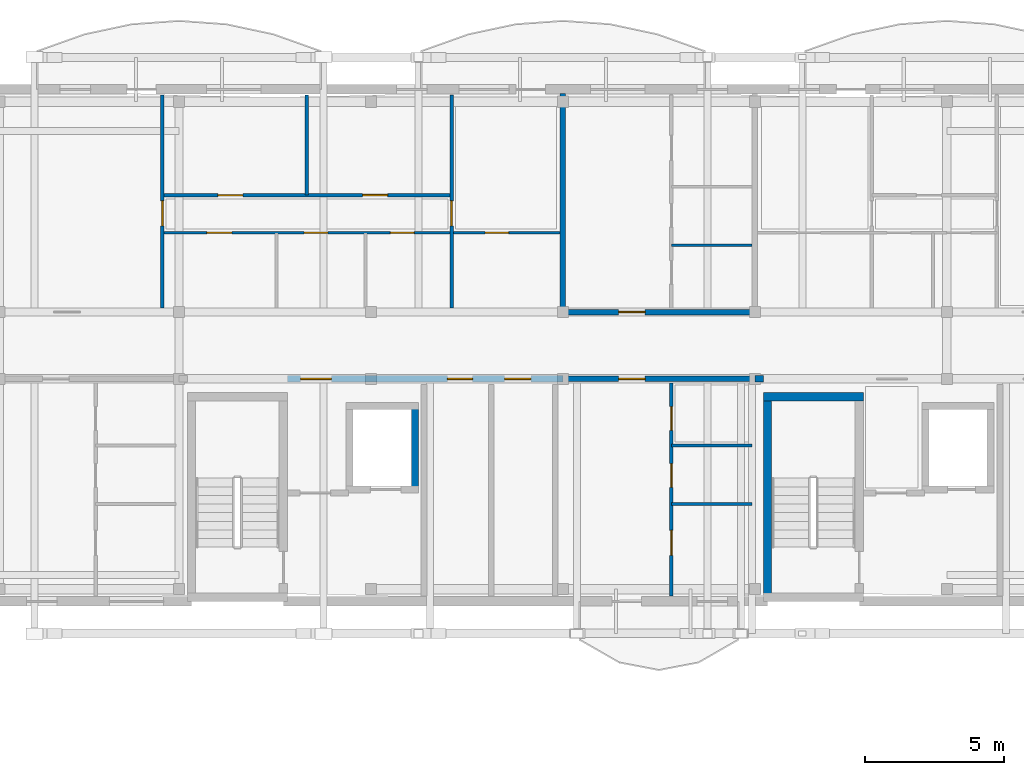
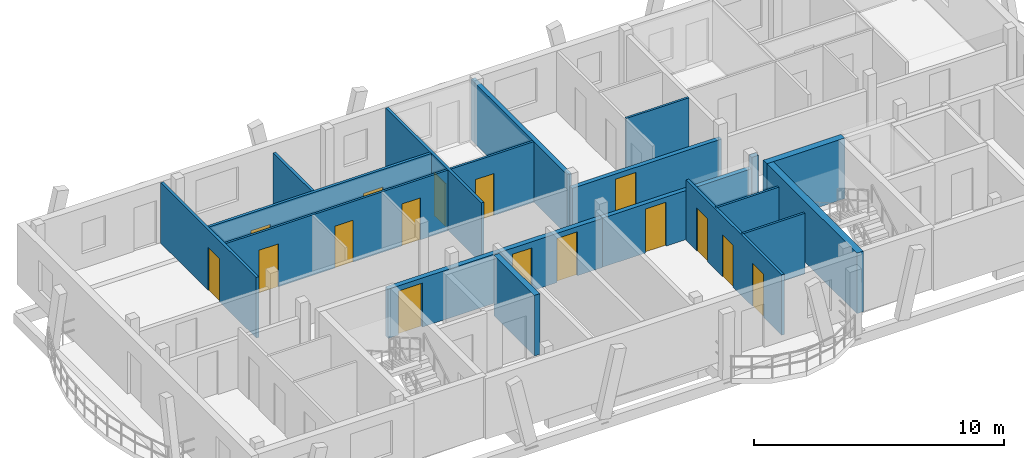
# One storey, part 18 of 33: 17 walls, 16 doors, 16 openings.
"""IFC4 building model written with IfcOpenShell, lengths in metres."""

import ifcopenshell
import ifcopenshell.guid

model = None  # the IFC model being written
_history = None  # IfcOwnerHistory: only IFC2X3 demands one
_inside = {}  # id of a spatial element -> (the spatial element, [elements in it])
_under = {}  # id of a project, library or spatial element -> (it, [spatial elements below it])
_declared = {}  # id of a project -> (the project, [libraries it declares])
_typed = {}  # id of a type object -> (the type object, [elements of that type])
_made_of = {}  # id of a material, layer set ... -> (it, [elements and type objects made of it])


def new_model(schema):
    """Start an empty IFC model of exactly this schema.

    Asked for "IFC4X3", IfcOpenShell would pick the latest addendum, in which some entities
    have other attributes; the version numbers below select the first issue.
    IFC2X3 requires an IfcOwnerHistory on every rooted entity: one is made here for all.
    """
    global model, _history
    if schema == "IFC4X3":
        model = ifcopenshell.file(schema_version=(4, 3, 0, 0))
    else:
        model = ifcopenshell.file(schema=schema)
    _inside.clear()
    _under.clear()
    _declared.clear()
    _typed.clear()
    _made_of.clear()
    _history = None
    if model.schema == "IFC2X3":
        org = make("IfcOrganization", Name="unknown")
        user = make(
            "IfcPersonAndOrganization",
            ThePerson=make("IfcPerson", FamilyName="unknown"),
            TheOrganization=org,
        )
        app = make(
            "IfcApplication",
            ApplicationDeveloper=org,
            Version="unknown",
            ApplicationFullName="unknown",
            ApplicationIdentifier="unknown",
        )
        _history = make(
            "IfcOwnerHistory",
            OwningUser=user,
            OwningApplication=app,
            ChangeAction="ADDED",
            CreationDate=0,
        )
    return model


def make(cls, **values):
    """One entity of the class cls with the attributes given. An attribute that is None is left unset."""
    return model.create_entity(
        cls, **{name: value for name, value in values.items() if value is not None}
    )


def rooted(cls, **values):
    """An entity with a GlobalId (a new one), such as an element, a storey or a relation."""
    return make(cls, GlobalId=ifcopenshell.guid.new(), OwnerHistory=_history, **values)


def si_unit(unit_type, name, prefix=None):
    """IfcSIUnit, for example si_unit("LENGTHUNIT", "METRE", prefix="MILLI")."""
    return make("IfcSIUnit", UnitType=unit_type, Prefix=prefix, Name=name)


def assignment(units):
    """IfcUnitAssignment: the units of a project."""
    return None if units is None else make("IfcUnitAssignment", Units=units)


def point(xyz):
    """IfcCartesianPoint."""
    return None if xyz is None else make("IfcCartesianPoint", Coordinates=xyz)


def direction(xyz):
    """IfcDirection."""
    return None if xyz is None else make("IfcDirection", DirectionRatios=xyz)


def frame(location, z_axis=None, x_axis=None):
    """IfcAxis2Placement3D, a coordinate frame: its origin and axes. An axis left out is left unset."""
    return make(
        "IfcAxis2Placement3D",
        Location=point(location),
        Axis=direction(z_axis),
        RefDirection=direction(x_axis),
    )


def frame_2d(location, x_axis=None):
    """IfcAxis2Placement2D, a coordinate frame in the plane: its origin and x axis."""
    return make(
        "IfcAxis2Placement2D", Location=point(location), RefDirection=direction(x_axis)
    )


def origin():
    """The frame at (0, 0, 0) with its axes left unset."""
    return frame((0.0, 0.0, 0.0))


def origin_with_axes():
    """The frame at (0, 0, 0) with the z axis (0, 0, 1) and the x axis (1, 0, 0) written out."""
    return frame((0.0, 0.0, 0.0), z_axis=(0.0, 0.0, 1.0), x_axis=(1.0, 0.0, 0.0))


def place(relative_to, where):
    """IfcLocalPlacement: puts the frame where relative to a parent placement (None: the world)."""
    return make(
        "IfcLocalPlacement", PlacementRelTo=relative_to, RelativePlacement=where
    )


def context(
    kind, dimensions, precision=None, world=None, true_north=None, identifier=None
):
    """IfcGeometricRepresentationContext, for example the 3D "Model" context."""
    return make(
        "IfcGeometricRepresentationContext",
        ContextIdentifier=identifier,
        ContextType=kind,
        CoordinateSpaceDimension=dimensions,
        Precision=precision,
        WorldCoordinateSystem=world,
        TrueNorth=true_north,
    )


def subcontext(parent, identifier, kind, view, scale=None):
    """IfcGeometricRepresentationSubContext, for example "Body" below "Model"."""
    return make(
        "IfcGeometricRepresentationSubContext",
        ContextIdentifier=identifier,
        ContextType=kind,
        ParentContext=parent,
        TargetScale=scale,
        TargetView=view,
    )


def project(units=None, contexts=None):
    """IfcProject with its units and contexts."""
    return rooted(
        "IfcProject",
        Name="project",
        RepresentationContexts=contexts,
        UnitsInContext=assignment(units),
    )


def spatial(cls, under=None, at=None, **own):
    """A site, building, storey or space (cls), placed at a placement, below another one or the project."""
    s = rooted(cls, ObjectPlacement=at, **own)
    if under is not None:
        _under.setdefault(under.id(), (under, []))[1].append(s)
    return s


def profile(cls, at=None, kind="AREA", **sizes):
    """A parametric profile (cls). Its sizes go by their IFC names, for example OverallWidth=200.0."""
    return make(cls, ProfileType=kind, Position=at, **sizes)


def rectangle(**sizes):
    """IfcRectangleProfileDef."""
    return profile("IfcRectangleProfileDef", **sizes)


def extrude(swept, where, along, depth):
    """IfcExtrudedAreaSolid: the profile swept, set in the frame where, extruded along a direction by depth."""
    return make(
        "IfcExtrudedAreaSolid",
        SweptArea=swept,
        Position=where,
        ExtrudedDirection=direction(along),
        Depth=depth,
    )


def shape(context_of_items, identifier, shape_type, items):
    """IfcShapeRepresentation: the items that make up one representation, for example the "Body"."""
    return make(
        "IfcShapeRepresentation",
        ContextOfItems=context_of_items,
        RepresentationIdentifier=identifier,
        RepresentationType=shape_type,
        Items=items,
    )


def material(Name=None, Category=None):
    """IfcMaterial."""
    return make("IfcMaterial", Name=Name, Category=Category)


def layer(
    of_material, thickness, ventilated=None, Name=None, Category=None, Priority=None
):
    """IfcMaterialLayer: one layer of a wall or slab, of a material (None: an air gap)."""
    return make(
        "IfcMaterialLayer",
        Material=of_material,
        LayerThickness=thickness,
        IsVentilated=ventilated,
        Name=Name,
        Category=Category,
        Priority=Priority,
    )


def layer_set(layers, Name=None):
    """IfcMaterialLayerSet."""
    return make("IfcMaterialLayerSet", MaterialLayers=layers, LayerSetName=Name)


def made_of(thing, what):
    """Note that an element or type object is made of a material, layer set ...; save() writes the relation."""
    if what is not None:
        _made_of.setdefault(what.id(), (what, []))[1].append(thing)
    return thing


def type_object(cls, material=None, **own):
    """A type object (cls), such as IfcWallType, which elements share."""
    return made_of(rooted(cls, **own), material)


def element(
    cls,
    number,
    at=None,
    inside=None,
    cuts=None,
    type_object=None,
    material=None,
    context=None,
    identifier="Body",
    shape_type=None,
    held_by="IfcProductDefinitionShape",
    body=None,
    shapes=None,
    **own,
):
    """One element of the class cls, such as IfcWall. Its Tag is "e" and its number.

    at: its placement. inside: the storey or other place that contains it. cuts: it is an
    opening in that element (IfcRelVoidsElement). A single representation is given by context,
    identifier, shape_type and body (its items); several are given by shapes. held_by: the class
    of the entity that holds the representations. save() writes the other relations.
    """
    e = rooted(cls, Tag="e%d" % number, ObjectPlacement=at, **own)
    if body is not None:
        shapes = [shape(context, identifier, shape_type, body)]
    if shapes is not None:
        e.Representation = make(held_by, Representations=shapes)
    if inside is not None:
        _inside.setdefault(inside.id(), (inside, []))[1].append(e)
    if cuts is not None:
        rooted(
            "IfcRelVoidsElement", RelatingBuildingElement=cuts, RelatedOpeningElement=e
        )
    if type_object is not None:
        _typed.setdefault(type_object.id(), (type_object, []))[1].append(e)
    return made_of(e, material)


def fill(opening, filler):
    """IfcRelFillsElement: the door or window that sits in an opening."""
    return rooted(
        "IfcRelFillsElement",
        RelatingOpeningElement=opening,
        RelatedBuildingElement=filler,
    )


def aggregate(whole, parts):
    """IfcRelAggregates: a whole, such as a stair, and the parts it consists of."""
    return rooted("IfcRelAggregates", RelatingObject=whole, RelatedObjects=parts)


def save(model, path):
    """Write the relations noted so far, then the file.

    IfcRelAggregates (storeys below a building ...), IfcRelContainedInSpatialStructure (elements
    in a storey), IfcRelDefinesByType, IfcRelAssociatesMaterial and IfcRelDeclares: one each for
    every whole, place, type object, material and project.
    """
    for whole, parts in _under.values():
        aggregate(whole, parts)
    for where, things in _inside.values():
        rooted(
            "IfcRelContainedInSpatialStructure",
            RelatedElements=things,
            RelatingStructure=where,
        )
    for kind, things in _typed.values():
        rooted("IfcRelDefinesByType", RelatedObjects=things, RelatingType=kind)
    for what, things in _made_of.values():
        rooted("IfcRelAssociatesMaterial", RelatedObjects=things, RelatingMaterial=what)
    for by, libraries in _declared.values():
        rooted("IfcRelDeclares", RelatingContext=by, RelatedDefinitions=libraries)
    model.write(path)


model = new_model("IFC4")

# Units and contexts
model_context = context("Model", 3, precision=1e-05, world=origin(), true_north=direction((0.0, 1.0)))
body_context = subcontext(model_context, "Body", "Model", "MODEL_VIEW")
ifc_project = project(units=[si_unit("LENGTHUNIT", "METRE"), si_unit("AREAUNIT", "SQUARE_METRE"), si_unit("VOLUMEUNIT", "CUBIC_METRE"), si_unit("PLANEANGLEUNIT", "RADIAN"), si_unit("MASSUNIT", "GRAM", prefix="KILO")], contexts=[model_context])

# Site, building, storey
site_placement = place(None, origin())
site = spatial("IfcSite", under=ifc_project, at=site_placement, CompositionType="ELEMENT")
building_placement = place(site_placement, origin())
building = spatial("IfcBuilding", under=site, at=building_placement, Name="Zavelmont Quarter", CompositionType="ELEMENT")
storey_placement = place(building_placement, frame((0.0, 0.0, 30.39990234375)))
storey = spatial("IfcBuildingStorey", under=building, at=storey_placement, Name="L09", CompositionType="ELEMENT", Elevation=30.39990234375)

# Wall
ifc_material_1 = material(Name="Calcium-silicate blockwork and acoustic plaster", Category="masonry")
ifc_layer_1 = layer(ifc_material_1, 0.199951171875)
ifc_layer_set_1 = layer_set([ifc_layer_1], Name="Calcium-silicate blockwork and acoustic plaster")
wall_type_1 = type_object("IfcWallType", Name="IW01", PredefinedType="PARTITIONING", material=ifc_layer_set_1)
wall_1_placement = place(storey_placement, frame((20.699951171875, 108.14990234375, 0.0), z_axis=(0.0, 0.0, 1.0), x_axis=(0.0, 1.0, 0.0)))
element("IfcWall", 1, at=wall_1_placement, inside=storey, type_object=wall_type_1, Name="L09 Inter-dwelling compartment wall IW01", PredefinedType="PARTITIONING", context=body_context, shape_type="SweptSolid", body=[
    extrude(rectangle(XDim=7.7001953125, YDim=0.199951171875, at=frame_2d((3.85009765625, 0.0))), origin(), (0.0, 0.0, 1.0), 2.960205078125),
])

# Wall, opening, door
wall_2_placement = place(storey_placement, frame((20.699951171875, 108.0, 0.0), z_axis=(0.0, 0.0, 1.0), x_axis=(1.0, 0.0, 0.0)))
wall_2 = element("IfcWall", 2, at=wall_2_placement, inside=storey, type_object=wall_type_1, Name="L09 Corridor compartment wall IW01", PredefinedType="PARTITIONING", context=body_context, shape_type="SweptSolid", body=[
    extrude(rectangle(XDim=6.900146484375, YDim=0.199951171875, at=frame_2d((3.4501953125, 0.0))), origin(), (0.0, 0.0, 1.0), 2.400146484375),
])
opening_1_placement = place(wall_2_placement, frame((2.0, 0.0, 0.0)))
opening_1 = element("IfcOpeningElement", 3, at=opening_1_placement, cuts=wall_2, Name="Opening DR02", PredefinedType="OPENING", context=body_context, shape_type="SweptSolid", body=[
    extrude(rectangle(XDim=0.949951171875, YDim=2.14990234375, at=frame_2d((0.47509765625, 1.074951171875))), frame((0.0, 0.11181640625, 0.0), z_axis=(0.0, -1.0, 0.0), x_axis=(1.0, 0.0, 0.0)), (0.0, 0.0, 1.0), 0.223876953125),
])
ifc_material_2 = material(Name="Solid-core oak fire leaf in steel frame", Category="steel")
door_type_1 = type_object("IfcDoorType", Name="DR02", OperationType="NOTDEFINED", PredefinedType="DOOR", material=ifc_material_2)
door_1_placement = place(opening_1_placement, origin_with_axes())
door_1 = element("IfcDoor", 4, at=door_1_placement, inside=storey, type_object=door_type_1, Name="L09 door DR02", OperationType="SINGLE_SWING_RIGHT", OverallHeight=2.14990234375, OverallWidth=0.949951171875, PredefinedType="DOOR", context=body_context, shape_type="SweptSolid", body=[
    extrude(rectangle(XDim=0.949951171875, YDim=2.14990234375, at=frame_2d((0.47509765625, 1.074951171875))), frame((0.0, 0.02490234375, 0.0), z_axis=(0.0, -1.0, 0.0), x_axis=(1.0, 0.0, 0.0)), (0.0, 0.0, 1.0), 0.050048828125),
])
fill(opening_1, door_1)

wall_3_placement = place(storey_placement, frame((20.699951171875, 105.60009765625, 0.0), z_axis=(0.0, 0.0, 1.0), x_axis=(1.0, 0.0, 0.0)))
wall_3 = element("IfcWall", 5, at=wall_3_placement, inside=storey, type_object=wall_type_1, Name="L09 Corridor compartment wall IW01", PredefinedType="PARTITIONING", context=body_context, shape_type="SweptSolid", body=[
    extrude(rectangle(XDim=6.900146484375, YDim=0.199951171875, at=frame_2d((3.4501953125, 0.0))), origin(), (0.0, 0.0, 1.0), 2.400146484375),
])
opening_2_placement = place(wall_3_placement, frame((2.0, 0.0, 0.0)))
opening_2 = element("IfcOpeningElement", 6, at=opening_2_placement, cuts=wall_3, Name="Opening DR02", PredefinedType="OPENING", context=body_context, shape_type="SweptSolid", body=[
    extrude(rectangle(XDim=0.949951171875, YDim=2.14990234375, at=frame_2d((0.47509765625, 1.074951171875))), frame((0.0, 0.11181640625, 0.0), z_axis=(0.0, -1.0, 0.0), x_axis=(1.0, 0.0, 0.0)), (0.0, 0.0, 1.0), 0.223876953125),
])
door_2_placement = place(opening_2_placement, frame((0.949951171875, 0.0, 0.0), z_axis=(0.0, 0.0, 1.0), x_axis=(-1.0, 0.0, 0.0)))
door_2 = element("IfcDoor", 7, at=door_2_placement, inside=storey, type_object=door_type_1, Name="L09 door DR02", OperationType="SINGLE_SWING_RIGHT", OverallHeight=2.14990234375, OverallWidth=0.949951171875, PredefinedType="DOOR", context=body_context, shape_type="SweptSolid", body=[
    extrude(rectangle(XDim=0.949951171875, YDim=2.14990234375, at=frame_2d((0.47509765625, 1.074951171875))), frame((0.0, 0.02490234375, 0.0), z_axis=(0.0, -1.0, 0.0), x_axis=(1.0, 0.0, 0.0)), (0.0, 0.0, 1.0), 0.050048828125),
])
fill(opening_2, door_2)

# Wall, openings, doors
ifc_material_3 = material(Name="Reinforced masonry fire compartment wall", Category="masonry")
ifc_layer_2 = layer(ifc_material_3, 0.22509765625)
ifc_layer_set_2 = layer_set([ifc_layer_2], Name="Reinforced masonry fire compartment wall")
wall_type_2 = type_object("IfcWallType", Name="IW02", PredefinedType="PARTITIONING", material=ifc_layer_set_2)
wall_4_placement = place(storey_placement, frame((10.800048828125, 105.60009765625, 0.0), z_axis=(0.0, 0.0, 1.0), x_axis=(1.0, 0.0, 0.0)))
wall_4 = element("IfcWall", 8, at=wall_4_placement, inside=storey, type_object=wall_type_2, Name="L09 Core corridor fire wall IW02", PredefinedType="PARTITIONING", context=body_context, shape_type="SweptSolid", body=[
    extrude(rectangle(XDim=9.89990234375, YDim=0.22509765625, at=frame_2d((4.949951171875, 0.0))), origin(), (0.0, 0.0, 1.0), 2.400146484375),
])
opening_3_placement = place(wall_4_placement, frame((0.47509765625, 0.0, 0.0)))
opening_3 = element("IfcOpeningElement", 9, at=opening_3_placement, cuts=wall_4, Name="Opening DR10", PredefinedType="OPENING", context=body_context, shape_type="SweptSolid", body=[
    extrude(rectangle(XDim=1.10009765625, YDim=2.14990234375, at=frame_2d((0.550048828125, 1.074951171875))), frame((0.0, 0.12451171875, 0.0), z_axis=(0.0, -1.0, 0.0), x_axis=(1.0, 0.0, 0.0)), (0.0, 0.0, 1.0), 0.2490234375),
])
opening_4_placement = place(wall_4_placement, frame((5.75, 0.0, 0.0)))
opening_4 = element("IfcOpeningElement", 10, at=opening_4_placement, cuts=wall_4, Name="Opening DR11", PredefinedType="OPENING", context=body_context, shape_type="SweptSolid", body=[
    extrude(rectangle(XDim=0.89990234375, YDim=2.10009765625, at=frame_2d((0.449951171875, 1.050048828125))), frame((0.0, 0.12451171875, 0.0), z_axis=(0.0, -1.0, 0.0), x_axis=(1.0, 0.0, 0.0)), (0.0, 0.0, 1.0), 0.2490234375),
])
opening_5_placement = place(wall_4_placement, frame((7.800048828125, 0.0, 0.0)))
opening_5 = element("IfcOpeningElement", 11, at=opening_5_placement, cuts=wall_4, Name="Opening DR02", PredefinedType="OPENING", context=body_context, shape_type="SweptSolid", body=[
    extrude(rectangle(XDim=0.949951171875, YDim=2.14990234375, at=frame_2d((0.47509765625, 1.074951171875))), frame((0.0, 0.12451171875, 0.0), z_axis=(0.0, -1.0, 0.0), x_axis=(1.0, 0.0, 0.0)), (0.0, 0.0, 1.0), 0.2490234375),
])
door_3_placement = place(opening_5_placement, origin_with_axes())
door_3 = element("IfcDoor", 12, at=door_3_placement, inside=storey, type_object=door_type_1, Name="Auxiliary store corridor door", OperationType="SINGLE_SWING_RIGHT", OverallHeight=2.14990234375, OverallWidth=0.949951171875, PredefinedType="DOOR", context=body_context, shape_type="SweptSolid", body=[
    extrude(rectangle(XDim=0.949951171875, YDim=2.14990234375, at=frame_2d((0.47509765625, 1.074951171875))), frame((0.0, 0.02490234375, 0.0), z_axis=(0.0, -1.0, 0.0), x_axis=(1.0, 0.0, 0.0)), (0.0, 0.0, 1.0), 0.050048828125),
])
fill(opening_5, door_3)
ifc_material_4 = material(Name="Painted steel lobby fire door", Category="steel")
door_type_2 = type_object("IfcDoorType", Name="DR10", OperationType="NOTDEFINED", PredefinedType="DOOR", material=ifc_material_4)
door_4_placement = place(opening_3_placement, frame((1.10009765625, 0.0, 0.0), z_axis=(0.0, 0.0, 1.0), x_axis=(-1.0, 0.0, 0.0)))
door_4 = element("IfcDoor", 13, at=door_4_placement, inside=storey, type_object=door_type_2, Name="Core vestibule fire door", OperationType="SINGLE_SWING_RIGHT", OverallHeight=2.14990234375, OverallWidth=1.10009765625, PredefinedType="DOOR", context=body_context, shape_type="SweptSolid", body=[
    extrude(rectangle(XDim=1.10009765625, YDim=2.14990234375, at=frame_2d((0.550048828125, 1.074951171875))), frame((0.0, 0.02490234375, 0.0), z_axis=(0.0, -1.0, 0.0), x_axis=(1.0, 0.0, 0.0)), (0.0, 0.0, 1.0), 0.050048828125),
])
fill(opening_3, door_4)
ifc_material_5 = material(Name="Painted steel service-riser fire door", Category="steel")
door_type_3 = type_object("IfcDoorType", Name="DR11", OperationType="NOTDEFINED", PredefinedType="DOOR", material=ifc_material_5)
door_5_placement = place(opening_4_placement, origin_with_axes())
door_5 = element("IfcDoor", 14, at=door_5_placement, inside=storey, type_object=door_type_3, Name="Service riser fire door", OperationType="SINGLE_SWING_LEFT", OverallHeight=2.10009765625, OverallWidth=0.89990234375, PredefinedType="DOOR", context=body_context, shape_type="SweptSolid", body=[
    extrude(rectangle(XDim=0.89990234375, YDim=2.10009765625, at=frame_2d((0.449951171875, 1.050048828125))), frame((0.0, 0.02490234375, 0.0), z_axis=(0.0, -1.0, 0.0), x_axis=(1.0, 0.0, 0.0)), (0.0, 0.0, 1.0), 0.050048828125),
])
fill(opening_4, door_5)

# Wall
wall_5_placement = place(storey_placement, frame((27.60009765625, 105.60009765625, 0.0), z_axis=(0.0, 0.0, 1.0), x_axis=(1.0, 0.0, 0.0)))
element("IfcWall", 15, at=wall_5_placement, inside=storey, type_object=wall_type_2, Name="L09 Core corridor wall IW02", PredefinedType="PARTITIONING", context=body_context, shape_type="SweptSolid", body=[
    extrude(rectangle(XDim=0.2998046875, YDim=0.22509765625, at=frame_2d((0.14990234375, 0.0))), origin(), (0.0, 0.0, 1.0), 2.960205078125),
])

# Wall, opening, door
ifc_material_6 = material(Name="Double gypsum board on acoustic steel stud", Category="steel")
ifc_layer_3 = layer(ifc_material_6, 0.125)
ifc_layer_set_3 = layer_set([ifc_layer_3], Name="Double gypsum board on acoustic steel stud")
wall_type_3 = type_object("IfcWallType", Name="IW03", PredefinedType="PARTITIONING", material=ifc_layer_set_3)
wall_6_placement = place(storey_placement, frame((6.300048828125, 108.14990234375, 0.0), z_axis=(0.0, 0.0, 1.0), x_axis=(0.0, 1.0, 0.0)))
wall_6 = element("IfcWall", 16, at=wall_6_placement, inside=storey, type_object=wall_type_3, Name="L09 Partition IW03", PredefinedType="PARTITIONING", context=body_context, shape_type="SweptSolid", body=[
    extrude(rectangle(XDim=7.650146484375, YDim=0.125, at=frame_2d((3.8251953125, 0.0))), origin(), (0.0, 0.0, 1.0), 2.960205078125),
])
opening_6_placement = place(wall_6_placement, frame((2.949951171875, 0.0, 0.0)))
opening_6 = element("IfcOpeningElement", 17, at=opening_6_placement, cuts=wall_6, Name="Opening DR05", PredefinedType="OPENING", context=body_context, shape_type="SweptSolid", body=[
    extrude(rectangle(XDim=0.89990234375, YDim=2.10009765625, at=frame_2d((0.449951171875, 1.050048828125))), frame((0.0, 0.074462890625, 0.0), z_axis=(0.0, -1.0, 0.0), x_axis=(1.0, 0.0, 0.0)), (0.0, 0.0, 1.0), 0.14892578125),
])
ifc_material_7 = material(Name="Engineered oak flush interior door")
door_type_4 = type_object("IfcDoorType", Name="DR05", OperationType="NOTDEFINED", PredefinedType="DOOR", material=ifc_material_7)
door_6_placement = place(opening_6_placement, origin_with_axes())
door_6 = element("IfcDoor", 18, at=door_6_placement, inside=storey, type_object=door_type_4, Name="L09 door DR05", OperationType="SINGLE_SWING_RIGHT", OverallHeight=2.10009765625, OverallWidth=0.89990234375, PredefinedType="DOOR", context=body_context, shape_type="SweptSolid", body=[
    extrude(rectangle(XDim=0.89990234375, YDim=2.10009765625, at=frame_2d((0.449951171875, 1.050048828125))), frame((0.0, 0.02490234375, 0.0), z_axis=(0.0, -1.0, 0.0), x_axis=(1.0, 0.0, 0.0)), (0.0, 0.0, 1.0), 0.050048828125),
])
fill(opening_6, door_6)

# Wall
wall_7_placement = place(storey_placement, frame((11.5, 112.199951171875, 0.0), z_axis=(0.0, 0.0, 1.0), x_axis=(0.0, 1.0, 0.0)))
element("IfcWall", 19, at=wall_7_placement, inside=storey, type_object=wall_type_3, Name="L09 Partition IW03", PredefinedType="PARTITIONING", context=body_context, shape_type="SweptSolid", body=[
    extrude(rectangle(XDim=3.60009765625, YDim=0.125, at=frame_2d((1.800048828125, 0.0))), origin(), (0.0, 0.0, 1.0), 2.590087890625),
])

# Wall, opening, door
wall_8_placement = place(storey_placement, frame((16.699951171875, 108.14990234375, 0.0), z_axis=(0.0, 0.0, 1.0), x_axis=(0.0, 1.0, 0.0)))
wall_8 = element("IfcWall", 20, at=wall_8_placement, inside=storey, type_object=wall_type_3, Name="L09 Partition IW03", PredefinedType="PARTITIONING", context=body_context, shape_type="SweptSolid", body=[
    extrude(rectangle(XDim=7.650146484375, YDim=0.125, at=frame_2d((3.8251953125, 0.0))), origin(), (0.0, 0.0, 1.0), 2.960205078125),
])
opening_7_placement = place(wall_8_placement, frame((2.949951171875, 0.0, 0.0)))
opening_7 = element("IfcOpeningElement", 21, at=opening_7_placement, cuts=wall_8, Name="Opening DR05", PredefinedType="OPENING", context=body_context, shape_type="SweptSolid", body=[
    extrude(rectangle(XDim=0.89990234375, YDim=2.10009765625, at=frame_2d((0.449951171875, 1.050048828125))), frame((0.0, 0.074462890625, 0.0), z_axis=(0.0, -1.0, 0.0), x_axis=(1.0, 0.0, 0.0)), (0.0, 0.0, 1.0), 0.14892578125),
])
door_7_placement = place(opening_7_placement, frame((0.89990234375, 0.0, 0.0), z_axis=(0.0, 0.0, 1.0), x_axis=(-1.0, 0.0, 0.0)))
door_7 = element("IfcDoor", 22, at=door_7_placement, inside=storey, type_object=door_type_4, Name="L09 door DR05", OperationType="SINGLE_SWING_LEFT", OverallHeight=2.10009765625, OverallWidth=0.89990234375, PredefinedType="DOOR", context=body_context, shape_type="SweptSolid", body=[
    extrude(rectangle(XDim=0.89990234375, YDim=2.10009765625, at=frame_2d((0.449951171875, 1.050048828125))), frame((0.0, 0.02490234375, 0.0), z_axis=(0.0, -1.0, 0.0), x_axis=(1.0, 0.0, 0.0)), (0.0, 0.0, 1.0), 0.050048828125),
])
fill(opening_7, door_7)

# Wall, openings, doors
wall_9_placement = place(storey_placement, frame((6.300048828125, 112.199951171875, 0.0), z_axis=(0.0, 0.0, 1.0), x_axis=(1.0, 0.0, 0.0)))
wall_9 = element("IfcWall", 23, at=wall_9_placement, inside=storey, type_object=wall_type_3, Name="L09 Partition IW03", PredefinedType="PARTITIONING", context=body_context, shape_type="SweptSolid", body=[
    extrude(rectangle(XDim=10.39990234375, YDim=0.125, at=frame_2d((5.199951171875, 0.0))), origin(), (0.0, 0.0, 1.0), 2.960205078125),
])
opening_8_placement = place(wall_9_placement, frame((2.0, 0.0, 0.0)))
opening_8 = element("IfcOpeningElement", 24, at=opening_8_placement, cuts=wall_9, Name="Opening DR05", PredefinedType="OPENING", context=body_context, shape_type="SweptSolid", body=[
    extrude(rectangle(XDim=0.89990234375, YDim=2.10009765625, at=frame_2d((0.449951171875, 1.050048828125))), frame((0.0, 0.074462890625, 0.0), z_axis=(0.0, -1.0, 0.0), x_axis=(1.0, 0.0, 0.0)), (0.0, 0.0, 1.0), 0.14892578125),
])
opening_9_placement = place(wall_9_placement, frame((7.199951171875, 0.0, 0.0)))
opening_9 = element("IfcOpeningElement", 25, at=opening_9_placement, cuts=wall_9, Name="Opening DR05", PredefinedType="OPENING", context=body_context, shape_type="SweptSolid", body=[
    extrude(rectangle(XDim=0.89990234375, YDim=2.10009765625, at=frame_2d((0.449951171875, 1.050048828125))), frame((0.0, 0.074462890625, 0.0), z_axis=(0.0, -1.0, 0.0), x_axis=(1.0, 0.0, 0.0)), (0.0, 0.0, 1.0), 0.14892578125),
])
door_8_placement = place(opening_8_placement, origin_with_axes())
door_8 = element("IfcDoor", 26, at=door_8_placement, inside=storey, type_object=door_type_4, Name="L09 door DR05", OperationType="SINGLE_SWING_RIGHT", OverallHeight=2.10009765625, OverallWidth=0.89990234375, PredefinedType="DOOR", context=body_context, shape_type="SweptSolid", body=[
    extrude(rectangle(XDim=0.89990234375, YDim=2.10009765625, at=frame_2d((0.449951171875, 1.050048828125))), frame((0.0, 0.02490234375, 0.0), z_axis=(0.0, -1.0, 0.0), x_axis=(1.0, 0.0, 0.0)), (0.0, 0.0, 1.0), 0.050048828125),
])
fill(opening_8, door_8)
door_9_placement = place(opening_9_placement, frame((0.89990234375, 0.0, 0.0), z_axis=(0.0, 0.0, 1.0), x_axis=(-1.0, 0.0, 0.0)))
door_9 = element("IfcDoor", 27, at=door_9_placement, inside=storey, type_object=door_type_4, Name="L09 door DR05", OperationType="SINGLE_SWING_LEFT", OverallHeight=2.10009765625, OverallWidth=0.89990234375, PredefinedType="DOOR", context=body_context, shape_type="SweptSolid", body=[
    extrude(rectangle(XDim=0.89990234375, YDim=2.10009765625, at=frame_2d((0.449951171875, 1.050048828125))), frame((0.0, 0.02490234375, 0.0), z_axis=(0.0, -1.0, 0.0), x_axis=(1.0, 0.0, 0.0)), (0.0, 0.0, 1.0), 0.050048828125),
])
fill(opening_9, door_9)

wall_10_placement = place(storey_placement, frame((24.60009765625, 105.449951171875, 0.0), z_axis=(0.0, 0.0, 1.0), x_axis=(0.0, -1.0, 0.0)))
wall_10 = element("IfcWall", 28, at=wall_10_placement, inside=storey, type_object=wall_type_3, Name="L09 Partition IW03", PredefinedType="PARTITIONING", context=body_context, shape_type="SweptSolid", body=[
    extrude(rectangle(XDim=7.64990234375, YDim=0.125, at=frame_2d((3.824951171875, 0.0))), origin(), (0.0, 0.0, 1.0), 2.960205078125),
])
opening_10_placement = place(wall_10_placement, frame((0.85009765625, 0.0, 0.0)))
opening_10 = element("IfcOpeningElement", 29, at=opening_10_placement, cuts=wall_10, Name="Opening DR16", PredefinedType="OPENING", context=body_context, shape_type="SweptSolid", body=[
    extrude(rectangle(XDim=0.85009765625, YDim=2.10009765625, at=frame_2d((0.425048828125, 1.050048828125))), frame((0.0, 0.074462890625, 0.0), z_axis=(0.0, -1.0, 0.0), x_axis=(1.0, 0.0, 0.0)), (0.0, 0.0, 1.0), 0.14892578125),
])
opening_11_placement = place(wall_10_placement, frame((2.89990234375, 0.0, 0.0)))
opening_11 = element("IfcOpeningElement", 30, at=opening_11_placement, cuts=wall_10, Name="Opening DR06", PredefinedType="OPENING", context=body_context, shape_type="SweptSolid", body=[
    extrude(rectangle(XDim=0.85009765625, YDim=2.050048828125, at=frame_2d((0.425048828125, 1.02490234375))), frame((0.0, 0.074462890625, 0.0), z_axis=(0.0, -1.0, 0.0), x_axis=(1.0, 0.0, 0.0)), (0.0, 0.0, 1.0), 0.14892578125),
])
opening_12_placement = place(wall_10_placement, frame((5.300048828125, 0.0, 0.0)))
opening_12 = element("IfcOpeningElement", 31, at=opening_12_placement, cuts=wall_10, Name="Opening DR05", PredefinedType="OPENING", context=body_context, shape_type="SweptSolid", body=[
    extrude(rectangle(XDim=0.89990234375, YDim=2.10009765625, at=frame_2d((0.449951171875, 1.050048828125))), frame((0.0, 0.074462890625, 0.0), z_axis=(0.0, -1.0, 0.0), x_axis=(1.0, 0.0, 0.0)), (0.0, 0.0, 1.0), 0.14892578125),
])
door_10_placement = place(opening_12_placement, origin_with_axes())
door_10 = element("IfcDoor", 32, at=door_10_placement, inside=storey, type_object=door_type_4, Name="L09 door DR05", OperationType="SINGLE_SWING_RIGHT", OverallHeight=2.10009765625, OverallWidth=0.89990234375, PredefinedType="DOOR", context=body_context, shape_type="SweptSolid", body=[
    extrude(rectangle(XDim=0.89990234375, YDim=2.10009765625, at=frame_2d((0.449951171875, 1.050048828125))), frame((0.0, 0.02490234375, 0.0), z_axis=(0.0, -1.0, 0.0), x_axis=(1.0, 0.0, 0.0)), (0.0, 0.0, 1.0), 0.050048828125),
])
fill(opening_12, door_10)
ifc_material_8 = material(Name="Moisture-resistant painted wet-room door")
door_type_5 = type_object("IfcDoorType", Name="DR06", OperationType="NOTDEFINED", PredefinedType="DOOR", material=ifc_material_8)
door_11_placement = place(opening_11_placement, frame((0.85009765625, 0.0, 0.0), z_axis=(0.0, 0.0, 1.0), x_axis=(-1.0, 0.0, 0.0)))
door_11 = element("IfcDoor", 33, at=door_11_placement, inside=storey, type_object=door_type_5, Name="L09 door DR06", OperationType="SINGLE_SWING_LEFT", OverallHeight=2.050048828125, OverallWidth=0.85009765625, PredefinedType="DOOR", context=body_context, shape_type="SweptSolid", body=[
    extrude(rectangle(XDim=0.85009765625, YDim=2.050048828125, at=frame_2d((0.425048828125, 1.02490234375))), frame((0.0, 0.02490234375, 0.0), z_axis=(0.0, -1.0, 0.0), x_axis=(1.0, 0.0, 0.0)), (0.0, 0.0, 1.0), 0.050048828125),
])
fill(opening_11, door_11)
door_type_6 = type_object("IfcDoorType", Name="DR16", OperationType="NOTDEFINED", PredefinedType="DOOR", material=ifc_material_7)
door_12_placement = place(opening_10_placement, origin_with_axes())
door_12 = element("IfcDoor", 34, at=door_12_placement, inside=storey, type_object=door_type_6, Name="L09 door DR16", OperationType="SINGLE_SWING_RIGHT", OverallHeight=2.10009765625, OverallWidth=0.85009765625, PredefinedType="DOOR", context=body_context, shape_type="SweptSolid", body=[
    extrude(rectangle(XDim=0.85009765625, YDim=2.10009765625, at=frame_2d((0.425048828125, 1.050048828125))), frame((0.0, 0.02490234375, 0.0), z_axis=(0.0, -1.0, 0.0), x_axis=(1.0, 0.0, 0.0)), (0.0, 0.0, 1.0), 0.050048828125),
])
fill(opening_10, door_12)

ifc_material_9 = material(Name="Moisture-resistant gypsum board on steel stud", Category="steel")
ifc_layer_4 = layer(ifc_material_9, 0.10009765625)
ifc_layer_set_4 = layer_set([ifc_layer_4], Name="Moisture-resistant gypsum board on steel stud")
wall_type_4 = type_object("IfcWallType", Name="IW04", PredefinedType="PARTITIONING", material=ifc_layer_set_4)
wall_11_placement = place(storey_placement, frame((6.300048828125, 110.85009765625, 0.0), z_axis=(0.0, 0.0, 1.0), x_axis=(1.0, 0.0, 0.0)))
wall_11 = element("IfcWall", 35, at=wall_11_placement, inside=storey, type_object=wall_type_4, Name="L09 Partition IW04", PredefinedType="PARTITIONING", context=body_context, shape_type="SweptSolid", body=[
    extrude(rectangle(XDim=14.300048828125, YDim=0.10009765625, at=frame_2d((7.14990234375, 0.0))), origin(), (0.0, 0.0, 1.0), 2.960205078125),
])
opening_13_placement = place(wall_11_placement, frame((1.60009765625, 0.0, 0.0)))
opening_13 = element("IfcOpeningElement", 36, at=opening_13_placement, cuts=wall_11, Name="Opening DR05", PredefinedType="OPENING", context=body_context, shape_type="SweptSolid", body=[
    extrude(rectangle(XDim=0.89990234375, YDim=2.10009765625, at=frame_2d((0.449951171875, 1.050048828125))), frame((0.0, 0.06201171875, 0.0), z_axis=(0.0, -1.0, 0.0), x_axis=(1.0, 0.0, 0.0)), (0.0, 0.0, 1.0), 0.1240234375),
])
opening_14_placement = place(wall_11_placement, frame((5.10009765625, 0.0, 0.0)))
opening_14 = element("IfcOpeningElement", 37, at=opening_14_placement, cuts=wall_11, Name="Opening DR06", PredefinedType="OPENING", context=body_context, shape_type="SweptSolid", body=[
    extrude(rectangle(XDim=0.85009765625, YDim=2.050048828125, at=frame_2d((0.425048828125, 1.02490234375))), frame((0.0, 0.06201171875, 0.0), z_axis=(0.0, -1.0, 0.0), x_axis=(1.0, 0.0, 0.0)), (0.0, 0.0, 1.0), 0.1240234375),
])
opening_15_placement = place(wall_11_placement, frame((8.199951171875, 0.0, 0.0)))
opening_15 = element("IfcOpeningElement", 38, at=opening_15_placement, cuts=wall_11, Name="Opening DR06", PredefinedType="OPENING", context=body_context, shape_type="SweptSolid", body=[
    extrude(rectangle(XDim=0.85009765625, YDim=2.050048828125, at=frame_2d((0.425048828125, 1.02490234375))), frame((0.0, 0.06201171875, 0.0), z_axis=(0.0, -1.0, 0.0), x_axis=(1.0, 0.0, 0.0)), (0.0, 0.0, 1.0), 0.1240234375),
])
opening_16_placement = place(wall_11_placement, frame((11.60009765625, 0.0, 0.0)))
opening_16 = element("IfcOpeningElement", 39, at=opening_16_placement, cuts=wall_11, Name="Opening DR06", PredefinedType="OPENING", context=body_context, shape_type="SweptSolid", body=[
    extrude(rectangle(XDim=0.85009765625, YDim=2.050048828125, at=frame_2d((0.425048828125, 1.02490234375))), frame((0.0, 0.06201171875, 0.0), z_axis=(0.0, -1.0, 0.0), x_axis=(1.0, 0.0, 0.0)), (0.0, 0.0, 1.0), 0.1240234375),
])
door_13_placement = place(opening_13_placement, origin_with_axes())
door_13 = element("IfcDoor", 40, at=door_13_placement, inside=storey, type_object=door_type_4, Name="L09 door DR05", OperationType="SINGLE_SWING_RIGHT", OverallHeight=2.10009765625, OverallWidth=0.89990234375, PredefinedType="DOOR", context=body_context, shape_type="SweptSolid", body=[
    extrude(rectangle(XDim=0.89990234375, YDim=2.10009765625, at=frame_2d((0.449951171875, 1.050048828125))), frame((0.0, 0.02490234375, 0.0), z_axis=(0.0, -1.0, 0.0), x_axis=(1.0, 0.0, 0.0)), (0.0, 0.0, 1.0), 0.050048828125),
])
fill(opening_13, door_13)
door_14_placement = place(opening_14_placement, frame((0.85009765625, 0.0, 0.0), z_axis=(0.0, 0.0, 1.0), x_axis=(-1.0, 0.0, 0.0)))
door_14 = element("IfcDoor", 41, at=door_14_placement, inside=storey, type_object=door_type_5, Name="L09 door DR06", OperationType="SINGLE_SWING_LEFT", OverallHeight=2.050048828125, OverallWidth=0.85009765625, PredefinedType="DOOR", context=body_context, shape_type="SweptSolid", body=[
    extrude(rectangle(XDim=0.85009765625, YDim=2.050048828125, at=frame_2d((0.425048828125, 1.02490234375))), frame((0.0, 0.02490234375, 0.0), z_axis=(0.0, -1.0, 0.0), x_axis=(1.0, 0.0, 0.0)), (0.0, 0.0, 1.0), 0.050048828125),
])
fill(opening_14, door_14)
door_15_placement = place(opening_15_placement, origin_with_axes())
door_15 = element("IfcDoor", 42, at=door_15_placement, inside=storey, type_object=door_type_5, Name="L09 door DR06", OperationType="SINGLE_SWING_RIGHT", OverallHeight=2.050048828125, OverallWidth=0.85009765625, PredefinedType="DOOR", context=body_context, shape_type="SweptSolid", body=[
    extrude(rectangle(XDim=0.85009765625, YDim=2.050048828125, at=frame_2d((0.425048828125, 1.02490234375))), frame((0.0, 0.02490234375, 0.0), z_axis=(0.0, -1.0, 0.0), x_axis=(1.0, 0.0, 0.0)), (0.0, 0.0, 1.0), 0.050048828125),
])
fill(opening_15, door_15)
door_16_placement = place(opening_16_placement, frame((0.85009765625, 0.0, 0.0), z_axis=(0.0, 0.0, 1.0), x_axis=(-1.0, 0.0, 0.0)))
door_16 = element("IfcDoor", 43, at=door_16_placement, inside=storey, type_object=door_type_5, Name="L09 door DR06", OperationType="SINGLE_SWING_LEFT", OverallHeight=2.050048828125, OverallWidth=0.85009765625, PredefinedType="DOOR", context=body_context, shape_type="SweptSolid", body=[
    extrude(rectangle(XDim=0.85009765625, YDim=2.050048828125, at=frame_2d((0.425048828125, 1.02490234375))), frame((0.0, 0.02490234375, 0.0), z_axis=(0.0, -1.0, 0.0), x_axis=(1.0, 0.0, 0.0)), (0.0, 0.0, 1.0), 0.050048828125),
])
fill(opening_16, door_16)

# Walls
for number, where, z_axis, x_axis, name in (
    (44, (24.60009765625, 110.39990234375, 0.0), (0.0, 0.0, 1.0), (1.0, 0.0, 0.0), "L09 Partition IW04"),
    (45, (24.60009765625, 103.199951171875, 0.0), (0.0, 0.0, 1.0), (1.0, 0.0, 0.0), "L09 Partition IW04"),
    (46, (24.60009765625, 101.10009765625, 0.0), (0.0, 0.0, 1.0), (1.0, 0.0, 0.0), "L09 Partition IW04"),
):
    element("IfcWall", number, at=place(storey_placement, frame(where, z_axis=z_axis, x_axis=x_axis)), inside=storey, type_object=wall_type_4, Name=name, PredefinedType="PARTITIONING", context=body_context, shape_type="SweptSolid", body=[
        extrude(rectangle(XDim=2.89990234375, YDim=0.10009765625, at=frame_2d((1.449951171875, 0.0))), origin(), (0.0, 0.0, 1.0), 2.960205078125),
    ])
ifc_material_10 = material(Name="Concrete C40/50", Category="concrete")
ifc_layer_5 = layer(ifc_material_10, 0.300048828125)
ifc_layer_set_5 = layer_set([ifc_layer_5], Name="Concrete C40/50")
wall_type_5 = type_object("IfcWallType", Name="SW01", PredefinedType="SHEAR", material=ifc_layer_set_5)
wall_12_placement = place(storey_placement, frame((27.89990234375, 104.949951171875, 0.0), z_axis=(0.0, 0.0, 1.0), x_axis=(1.0, 0.0, 0.0)))
element("IfcWall", 47, at=wall_12_placement, inside=storey, type_object=wall_type_5, Name="L09 ST04 corridor shear wall SW01", PredefinedType="SHEAR", context=body_context, shape_type="SweptSolid", body=[
    extrude(rectangle(XDim=3.60009765625, YDim=0.300048828125, at=frame_2d((1.800048828125, 0.0))), origin(), (0.0, 0.0, 1.0), 2.960205078125),
])
wall_13_placement = place(storey_placement, frame((28.050048828125, 97.60009765625, 0.0), z_axis=(0.0, 0.0, 1.0), x_axis=(0.0, 1.0, 0.0)))
element("IfcWall", 48, at=wall_13_placement, inside=storey, type_object=wall_type_5, Name="L09 ST04 west shear wall SW01", PredefinedType="SHEAR", context=body_context, shape_type="SweptSolid", body=[
    extrude(rectangle(XDim=7.5, YDim=0.300048828125, at=frame_2d((3.75, 0.0))), origin(), (0.0, 0.0, 1.0), 2.960205078125),
])
ifc_layer_6 = layer(ifc_material_10, 0.25)
ifc_layer_set_6 = layer_set([ifc_layer_6], Name="Concrete C40/50")
wall_type_6 = type_object("IfcWallType", Name="SW02", PredefinedType="SHEAR", material=ifc_layer_set_6)
wall_14_placement = place(storey_placement, frame((15.375, 101.5, 0.0), z_axis=(0.0, 0.0, 1.0), x_axis=(0.0, 1.0, 0.0)))
element("IfcWall", 49, at=wall_14_placement, inside=storey, type_object=wall_type_6, Name="L09 Lift FL02 east shaft wall SW02", PredefinedType="SHEAR", context=body_context, shape_type="SweptSolid", body=[
    extrude(rectangle(XDim=3.25, YDim=0.25, at=frame_2d((1.625, 0.0))), origin(), (0.0, 0.0, 1.0), 2.960205078125),
])

save(model, "model.ifc")
